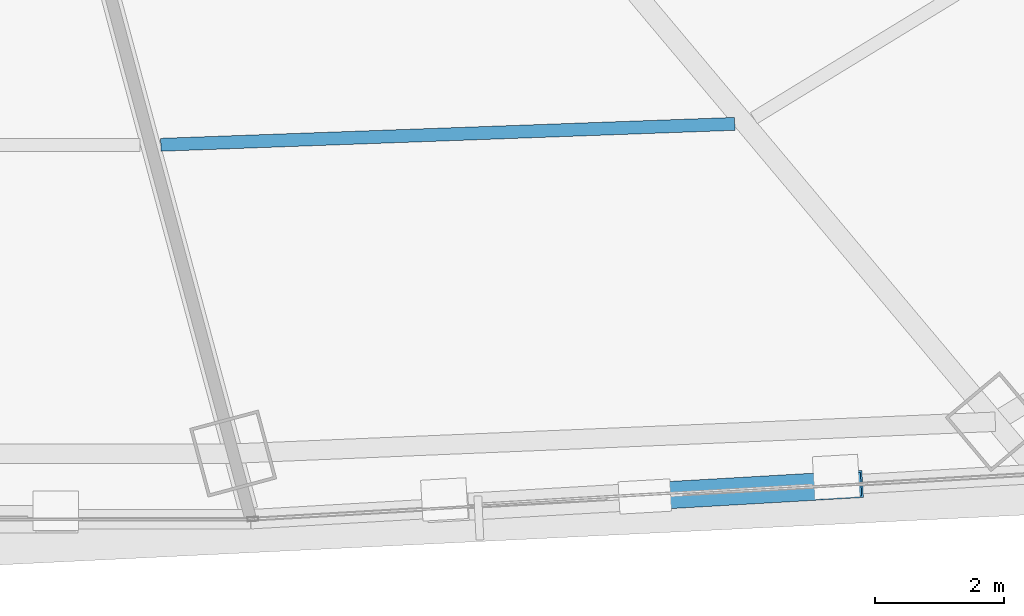
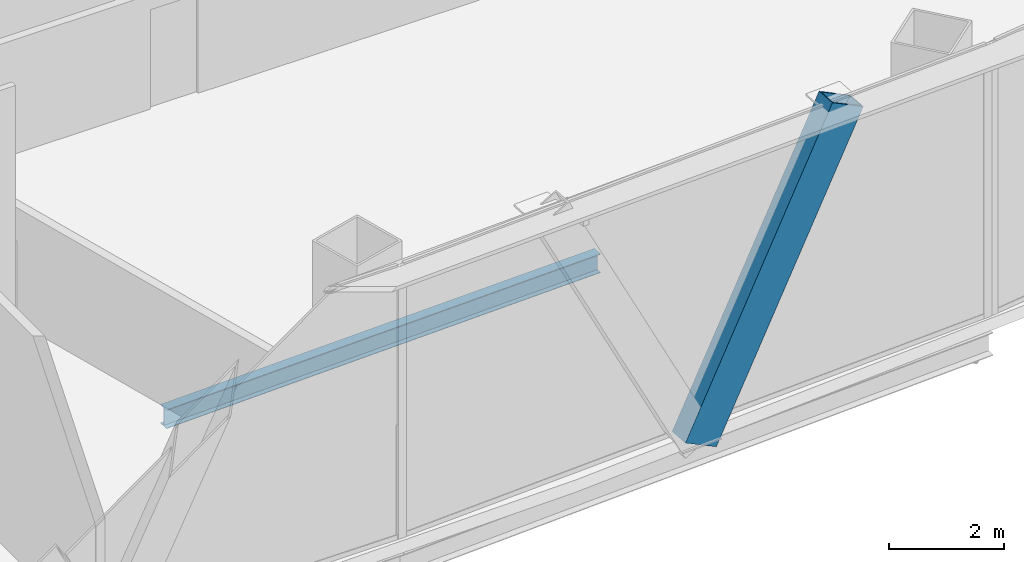
# One storey, part 11 of 41: 1 beam, 1 member.
"""IFC4 building model written with IfcOpenShell, lengths in metres."""

from ifc_helpers import new_model, si_unit, direction, frame, origin, origin_2d, place, context, subcontext, project, spatial, hollow_rectangle, i_section, extrude, source, transform, mapped, material, material_profile, profile_set, type_object, element, save


model = new_model("IFC4")

# Units and contexts
model_context = context("Model", 3, precision=1e-05, world=origin(), true_north=direction((0.0, 1.0)))
body_context = subcontext(model_context, "Body", "Model", "MODEL_VIEW")
ifc_project = project(units=[si_unit("LENGTHUNIT", "METRE"), si_unit("AREAUNIT", "SQUARE_METRE"), si_unit("VOLUMEUNIT", "CUBIC_METRE"), si_unit("PLANEANGLEUNIT", "RADIAN"), si_unit("MASSUNIT", "GRAM", prefix="KILO"), si_unit("THERMODYNAMICTEMPERATUREUNIT", "KELVIN"), si_unit("POWERUNIT", "WATT")], contexts=[model_context])

# Site, building, storey
site_placement = place(None, origin())
site = spatial("IfcSite", under=ifc_project, at=site_placement, CompositionType="ELEMENT")
building_placement = place(site_placement, origin())
building = spatial("IfcBuilding", under=site, at=building_placement, Name="Yunzhuo Pagoda Commons", CompositionType="ELEMENT")
storey_placement = place(building_placement, frame((0.0, 0.0, 70.330078125)))
storey = spatial("IfcBuildingStorey", under=building, at=storey_placement, Name="L18", CompositionType="ELEMENT", Elevation=70.330078125)

# Beam
ifc_material_1 = material(Name="Structural steel Q355B", Category="steel")
ifc_material_profile_1 = material_profile(ifc_material_1, i_section(OverallWidth=0.199951171875, OverallDepth=0.39990234375, WebThickness=0.008056640625, FlangeThickness=0.012939453125, at=origin_2d()), Name="Structural steel Q355B")
ifc_profile_set_1 = profile_set([ifc_material_profile_1], Name="Structural steel Q355B")
beam_type = type_object("IfcBeamType", Name="B-JS1 Joist HN 400x200x8x13", PredefinedType="JOIST", material=ifc_profile_set_1)
shared_shape_1 = source(origin(), body_context, "Body", "SweptSolid", [
    extrude(i_section(OverallWidth=0.199951171875, OverallDepth=0.39990234375, WebThickness=0.008056640625, FlangeThickness=0.012939453125, at=origin_2d()), origin(), (0.0, 0.0, 1.0), 8.876953125),
])
beam_placement = place(storey_placement, frame((52.601806640625, 17.125, -0.4599609375), z_axis=(0.999335806416, 0.036440993601, 0.0), x_axis=(-0.036440993601, 0.999335806416, 0.0)))
element("IfcBeam", 1, at=beam_placement, inside=storey, type_object=beam_type, Name="L18 composite ring joist 2.3", PredefinedType="JOIST", context=body_context, shape_type="MappedRepresentation", body=[
    mapped(shared_shape_1, transform((0.0, 0.0, 0.0), scale=1.0)),
])

# Member
ifc_material_2 = material(Name="Structural steel Q420B", Category="steel")
ifc_material_profile_2 = material_profile(ifc_material_2, hollow_rectangle(XDim=0.419921875, YDim=0.719970703125, WallThickness=0.028076171875, at=origin_2d()), Name="Structural steel Q420B")
ifc_profile_set_2 = profile_set([ifc_material_profile_2], Name="Structural steel Q420B")
member_type = type_object("IfcMemberType", Name="M-DL1 Brace BOX 720x420x28", PredefinedType="BRACE", material=ifc_profile_set_2)
shared_shape_2 = source(origin(), body_context, "Body", "SweptSolid", [
    extrude(hollow_rectangle(XDim=0.419921875, YDim=0.719970703125, WallThickness=0.028076171875, at=origin_2d()), origin(), (0.0, 0.0, 1.0), 6.7578125),
])
member_placement = place(storey_placement, frame((60.08349609375, 11.68896484375, -0.260009765625), z_axis=(0.450686184719, 0.025975420185, 0.89230445502), x_axis=(-0.05753978125, 0.998343214317, 0.0)))
element("IfcMember", 2, at=member_placement, inside=storey, type_object=member_type, Name="L18 facade diamond brace F1.3R", PredefinedType="BRACE", context=body_context, shape_type="MappedRepresentation", body=[
    mapped(shared_shape_2, transform((0.0, 0.0, 0.0), scale=1.0)),
])

save(model, "model.ifc")
